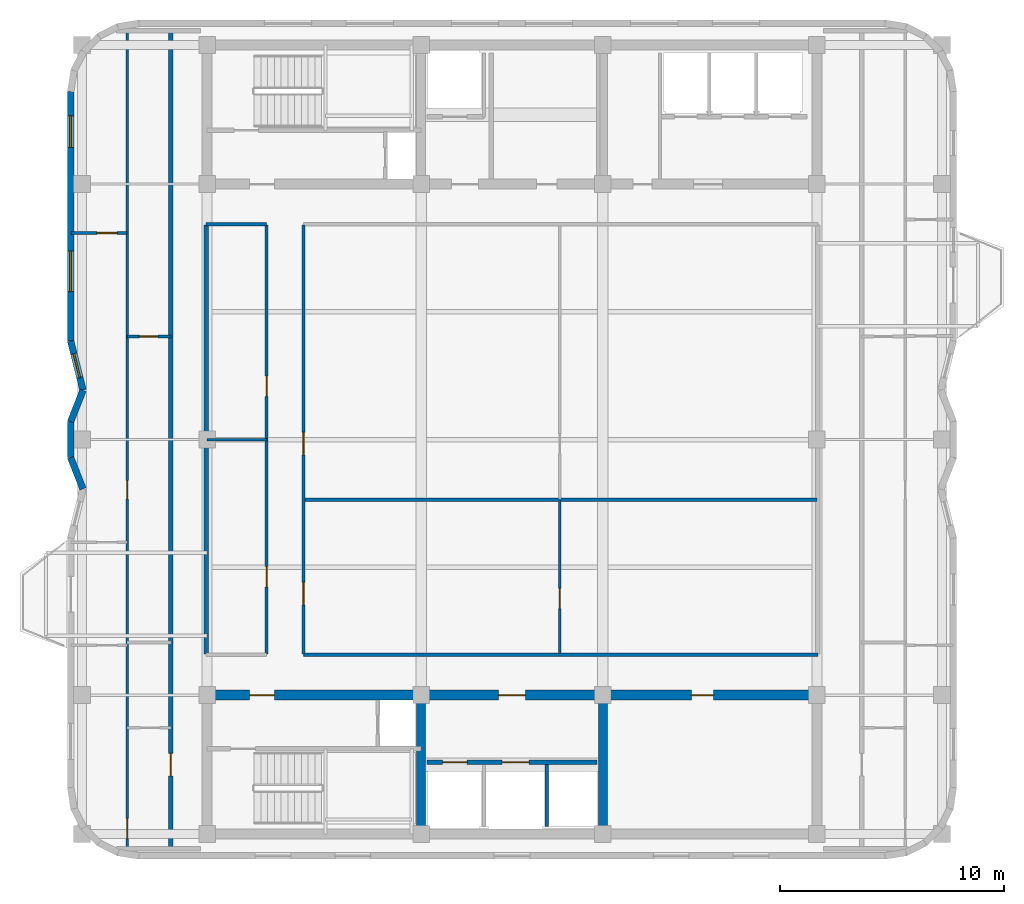
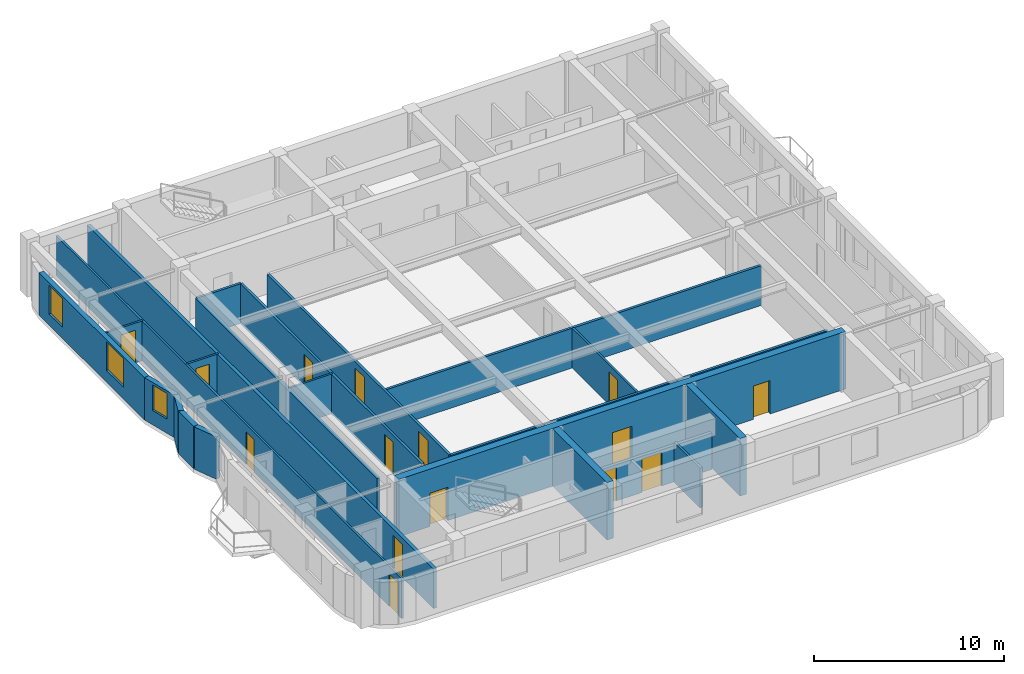
# One storey, part 3 of 8: 22 walls, 15 doors, 3 windows, 18 openings.
"""IFC4 building model written with IfcOpenShell, lengths in metres."""

from ifc_helpers import new_model, si_unit, direction, frame, frame_2d, origin, place, context, subcontext, project, spatial, rectangle, extrude, material, layer, layer_set, type_object, element, fill, save


model = new_model("IFC4")

# Units and contexts
model_context = context("Model", 3, precision=1e-05, world=origin(), true_north=direction((0.0, 1.0)))
body_context = subcontext(model_context, "Body", "Model", "MODEL_VIEW")
ifc_project = project(units=[si_unit("LENGTHUNIT", "METRE"), si_unit("AREAUNIT", "SQUARE_METRE"), si_unit("VOLUMEUNIT", "CUBIC_METRE"), si_unit("PLANEANGLEUNIT", "RADIAN"), si_unit("MASSUNIT", "GRAM", prefix="KILO")], contexts=[model_context])

# Site, building, storey
site_placement = place(None, origin())
site = spatial("IfcSite", under=ifc_project, at=site_placement, CompositionType="ELEMENT")
building_placement = place(site_placement, origin())
building = spatial("IfcBuilding", under=site, at=building_placement, Name="Svetorya Sky Lyceum", CompositionType="ELEMENT")
storey_placement = place(building_placement, frame((0.0, 0.0, 263.89990234375)))
storey = spatial("IfcBuildingStorey", under=building, at=storey_placement, Name="L66", CompositionType="ELEMENT", Elevation=263.89990234375)

# Walls
ifc_material_1 = material(Name="Concrete C40/50", Category="concrete")
ifc_layer_1 = layer(ifc_material_1, 0.39990234375)
ifc_layer_set_1 = layer_set([ifc_layer_1], Name="Concrete C40/50")
wall_type_1 = type_object("IfcWallType", Name="WL-CORE-400", PredefinedType="SHEAR", material=ifc_layer_set_1)
for number, where, z_axis, x_axis, name in (
    (1, (35.14990234375, 10.824951171875, 0.0), (0.0, 0.0, 1.0), (0.0, 1.0, 0.0), "L66 SC Internal Shear Web WEB1"),
    (2, (43.25, 10.824951171875, 0.0), (0.0, 0.0, 1.0), (0.0, 1.0, 0.0), "L66 SC Internal Shear Web WEB2"),
):
    element("IfcWall", number, at=place(storey_placement, frame(where, z_axis=z_axis, x_axis=x_axis)), inside=storey, type_object=wall_type_1, Name=name, PredefinedType="SHEAR", context=body_context, shape_type="SweptSolid", body=[
        extrude(rectangle(XDim=5.75, YDim=0.39990234375, at=frame_2d((2.875, 0.0))), origin(), (0.0, 0.0, 1.0), 3.7001953125),
    ])

# Wall, openings, doors
ifc_material_2 = material(Name="Concrete C50/60", Category="concrete")
ifc_layer_2 = layer(ifc_material_2, 0.449951171875)
ifc_layer_set_2 = layer_set([ifc_layer_2], Name="Concrete C50/60")
wall_type_2 = type_object("IfcWallType", Name="WL-CORE-450", PredefinedType="SHEAR", material=ifc_layer_set_2)
wall_1_placement = place(storey_placement, frame((25.60009765625, 16.800048828125, 0.0), z_axis=(0.0, 0.0, 1.0), x_axis=(1.0, 0.0, 0.0)))
wall_1 = element("IfcWall", 3, at=wall_1_placement, inside=storey, type_object=wall_type_2, Name="L66 SC Inner Core Shear Wall", PredefinedType="SHEAR", context=body_context, shape_type="SweptSolid", body=[
    extrude(rectangle(XDim=27.199951171875, YDim=0.449951171875, at=frame_2d((13.60009765625, 0.0))), origin(), (0.0, 0.0, 1.0), 3.7001953125),
])
opening_1_placement = place(wall_1_placement, frame((1.89990234375, 0.0, 0.0)))
opening_1 = element("IfcOpeningElement", 4, at=opening_1_placement, cuts=wall_1, Name="Opening D-ST1", PredefinedType="OPENING", context=body_context, shape_type="SweptSolid", body=[
    extrude(rectangle(XDim=1.10009765625, YDim=2.14990234375, at=frame_2d((0.550048828125, 1.074951171875))), frame((0.0, 0.23486328125, 0.0), z_axis=(0.0, -1.0, 0.0), x_axis=(1.0, 0.0, 0.0)), (0.0, 0.0, 1.0), 0.469970703125),
])
opening_2_placement = place(wall_1_placement, frame((13.0, 0.0, 0.0)))
opening_2 = element("IfcOpeningElement", 5, at=opening_2_placement, cuts=wall_1, Name="Opening D-FL1", PredefinedType="OPENING", context=body_context, shape_type="SweptSolid", body=[
    extrude(rectangle(XDim=1.199951171875, YDim=2.14990234375, at=frame_2d((0.60009765625, 1.074951171875))), frame((0.0, 0.23486328125, 0.0), z_axis=(0.0, -1.0, 0.0), x_axis=(1.0, 0.0, 0.0)), (0.0, 0.0, 1.0), 0.469970703125),
])
opening_3_placement = place(wall_1_placement, frame((21.60009765625, 0.0, 0.0)))
opening_3 = element("IfcOpeningElement", 6, at=opening_3_placement, cuts=wall_1, Name="Opening D-RM2", PredefinedType="OPENING", context=body_context, shape_type="SweptSolid", body=[
    extrude(rectangle(XDim=1.0, YDim=2.14990234375, at=frame_2d((0.5, 1.074951171875))), frame((0.0, 0.23486328125, 0.0), z_axis=(0.0, -1.0, 0.0), x_axis=(1.0, 0.0, 0.0)), (0.0, 0.0, 1.0), 0.469970703125),
])
ifc_material_3 = material(Name="Powder-coated insulated galvanized stair fire door")
door_type_1 = type_object("IfcDoorType", Name="DR-FIRE-1100", OperationType="SINGLE_SWING_LEFT", PredefinedType="DOOR", material=ifc_material_3)
door_1_placement = place(opening_1_placement, origin())
door_1 = element("IfcDoor", 7, at=door_1_placement, inside=storey, type_object=door_type_1, Name="L66 South Stair Airlock Door", OperationType="SINGLE_SWING_RIGHT", OverallHeight=2.14990234375, OverallWidth=1.10009765625, PredefinedType="DOOR", context=body_context, shape_type="SweptSolid", body=[
    extrude(rectangle(XDim=1.10009765625, YDim=2.14990234375, at=frame_2d((0.550048828125, 1.074951171875))), frame((0.0, 0.02490234375, 0.0), z_axis=(0.0, -1.0, 0.0), x_axis=(1.0, 0.0, 0.0)), (0.0, 0.0, 1.0), 0.050048828125),
])
fill(opening_1, door_1)
ifc_material_4 = material(Name="Powder-coated insulated galvanized fire door")
door_type_2 = type_object("IfcDoorType", Name="DR-FIRE-1200", OperationType="SINGLE_SWING_LEFT", PredefinedType="DOOR", material=ifc_material_4)
door_2_placement = place(opening_2_placement, origin())
door_2 = element("IfcDoor", 8, at=door_2_placement, inside=storey, type_object=door_type_2, Name="L66 South Firefighting Lift Lobby Door", OperationType="SINGLE_SWING_LEFT", OverallHeight=2.14990234375, OverallWidth=1.199951171875, PredefinedType="DOOR", context=body_context, shape_type="SweptSolid", body=[
    extrude(rectangle(XDim=1.199951171875, YDim=2.14990234375, at=frame_2d((0.60009765625, 1.074951171875))), frame((0.0, 0.02490234375, 0.0), z_axis=(0.0, -1.0, 0.0), x_axis=(1.0, 0.0, 0.0)), (0.0, 0.0, 1.0), 0.050048828125),
])
fill(opening_2, door_2)
ifc_material_5 = material(Name="Solid-core oak acoustic room door")
door_type_3 = type_object("IfcDoorType", Name="DR-INT-1000", OperationType="SINGLE_SWING_LEFT", PredefinedType="DOOR", material=ifc_material_5)
door_3_placement = place(opening_3_placement, origin())
door_3 = element("IfcDoor", 9, at=door_3_placement, inside=storey, type_object=door_type_3, Name="L66 Trunk Store Door", OperationType="SINGLE_SWING_LEFT", OverallHeight=2.14990234375, OverallWidth=1.0, PredefinedType="DOOR", context=body_context, shape_type="SweptSolid", body=[
    extrude(rectangle(XDim=1.0, YDim=2.14990234375, at=frame_2d((0.5, 1.074951171875))), frame((0.0, 0.02490234375, 0.0), z_axis=(0.0, -1.0, 0.0), x_axis=(1.0, 0.0, 0.0)), (0.0, 0.0, 1.0), 0.050048828125),
])
fill(opening_3, door_3)

# Wall, openings, windows
ifc_material_6 = material(Name="Putilovo limestone rainscreen on autoclaved cellular masonry", Category="masonry")
ifc_layer_3 = layer(ifc_material_6, 0.300048828125)
ifc_layer_set_3 = layer_set([ifc_layer_3], Name="Putilovo limestone rainscreen on autoclaved cellular masonry")
wall_type_3 = type_object("IfcWallType", Name="WL-EXT-300", PredefinedType="SOLIDWALL", material=ifc_layer_set_3)
wall_2_placement = place(storey_placement, frame((19.510009765625, 43.719970703125, 0.0), z_axis=(0.0, 0.0, 1.0), x_axis=(0.0, -1.0, 0.0)))
wall_2 = element("IfcWall", 10, at=wall_2_placement, inside=storey, type_object=wall_type_3, Name="L66 Limestone Exterior Wall 30M", PredefinedType="SOLIDWALL", context=body_context, shape_type="SweptSolid", body=[
    extrude(rectangle(XDim=11.119873046875, YDim=0.300048828125, at=frame_2d((5.56005859375, 0.0))), origin(), (0.0, 0.0, 1.0), 2.72998046875),
])
opening_4_placement = place(wall_2_placement, frame((1.080078125, 0.0, 0.719970703125)))
opening_4 = element("IfcOpeningElement", 11, at=opening_4_placement, cuts=wall_2, Name="Opening W-R2", PredefinedType="OPENING", context=body_context, shape_type="SweptSolid", body=[
    extrude(rectangle(XDim=1.39990234375, YDim=1.85009765625, at=frame_2d((0.699951171875, 0.925048828125))), frame((0.0, 0.159912109375, 0.0), z_axis=(0.0, -1.0, 0.0), x_axis=(1.0, 0.0, 0.0)), (0.0, 0.0, 1.0), 0.320068359375),
])
opening_5_placement = place(wall_2_placement, frame((7.114990234375, 0.0, 0.760009765625)))
opening_5 = element("IfcOpeningElement", 12, at=opening_5_placement, cuts=wall_2, Name="Opening W-R1", PredefinedType="OPENING", context=body_context, shape_type="SweptSolid", body=[
    extrude(rectangle(XDim=1.800048828125, YDim=1.85009765625, at=frame_2d((0.89990234375, 0.925048828125))), frame((0.0, 0.159912109375, 0.0), z_axis=(0.0, -1.0, 0.0), x_axis=(1.0, 0.0, 0.0)), (0.0, 0.0, 1.0), 0.320068359375),
])
ifc_material_7 = material(Name="Thermally broken aluminium frame with triple low-E glazing", Category="aluminium")
window_type_1 = type_object("IfcWindowType", Name="WN-RES-140", PartitioningType="SINGLE_PANEL", PredefinedType="WINDOW", material=ifc_material_7)
window_1_placement = place(opening_4_placement, origin())
window_1 = element("IfcWindow", 13, at=window_1_placement, inside=storey, type_object=window_type_1, Name="L66 Facade Window W-R2.30M.2", OverallHeight=1.85009765625, OverallWidth=1.39990234375, PartitioningType="SINGLE_PANEL", PredefinedType="WINDOW", context=body_context, shape_type="SweptSolid", body=[
    extrude(rectangle(XDim=1.39990234375, YDim=1.85009765625, at=frame_2d((0.699951171875, 0.925048828125))), frame((0.0, 0.030029296875, 0.0), z_axis=(0.0, -1.0, 0.0), x_axis=(1.0, 0.0, 0.0)), (0.0, 0.0, 1.0), 0.06005859375),
])
fill(opening_4, window_1)
window_type_2 = type_object("IfcWindowType", Name="WN-RES-180", PartitioningType="DOUBLE_PANEL_VERTICAL", PredefinedType="WINDOW", material=ifc_material_7)
window_2_placement = place(opening_5_placement, origin())
window_2 = element("IfcWindow", 14, at=window_2_placement, inside=storey, type_object=window_type_2, Name="L66 Facade Window W-R1.30M.1", OverallHeight=1.85009765625, OverallWidth=1.800048828125, PartitioningType="SINGLE_PANEL", PredefinedType="WINDOW", context=body_context, shape_type="SweptSolid", body=[
    extrude(rectangle(XDim=1.800048828125, YDim=1.85009765625, at=frame_2d((0.89990234375, 0.925048828125))), frame((0.0, 0.030029296875, 0.0), z_axis=(0.0, -1.0, 0.0), x_axis=(1.0, 0.0, 0.0)), (0.0, 0.0, 1.0), 0.06005859375),
])
fill(opening_5, window_2)

# Wall, opening, window
wall_3_placement = place(storey_placement, frame((19.510009765625, 32.60009765625, 0.0), z_axis=(0.0, 0.0, 1.0), x_axis=(0.242535625036, -0.970142500145, 0.0)))
wall_3 = element("IfcWall", 15, at=wall_3_placement, inside=storey, type_object=wall_type_3, Name="L66 Limestone Exterior Wall 31M", PredefinedType="SOLIDWALL", context=body_context, shape_type="SweptSolid", body=[
    extrude(rectangle(XDim=2.267822265625, YDim=0.300048828125, at=frame_2d((1.1337890625, 0.0))), origin(), (0.0, 0.0, 1.0), 2.72998046875),
])
opening_6_placement = place(wall_3_placement, frame((0.583984375, 0.0, 0.919921875)))
opening_6 = element("IfcOpeningElement", 16, at=opening_6_placement, cuts=wall_3, Name="Opening W-R3", PredefinedType="OPENING", context=body_context, shape_type="SweptSolid", body=[
    extrude(rectangle(XDim=1.10009765625, YDim=1.64990234375, at=frame_2d((0.550048828125, 0.824951171875))), frame((0.0, 0.159912109375, 0.0), z_axis=(0.0, -1.0, 0.0), x_axis=(1.0, 0.0, 0.0)), (0.0, 0.0, 1.0), 0.320068359375),
])
window_type_3 = type_object("IfcWindowType", Name="WN-RES-110", PartitioningType="SINGLE_PANEL", PredefinedType="WINDOW", material=ifc_material_7)
window_3_placement = place(opening_6_placement, origin())
window_3 = element("IfcWindow", 17, at=window_3_placement, inside=storey, type_object=window_type_3, Name="L66 Facade Window W-R3.31M.1", OverallHeight=1.64990234375, OverallWidth=1.10009765625, PartitioningType="SINGLE_PANEL", PredefinedType="WINDOW", context=body_context, shape_type="SweptSolid", body=[
    extrude(rectangle(XDim=1.10009765625, YDim=1.64990234375, at=frame_2d((0.550048828125, 0.824951171875))), frame((0.0, 0.030029296875, 0.0), z_axis=(0.0, -1.0, 0.0), x_axis=(1.0, 0.0, 0.0)), (0.0, 0.0, 1.0), 0.06005859375),
])
fill(opening_6, window_3)

# Walls
wall_4_placement = place(storey_placement, frame((20.06005859375, 30.39990234375, 0.0), z_axis=(0.0, 0.0, 1.0), x_axis=(-0.365702591843, -0.930731762818, 0.0)))
element("IfcWall", 18, at=wall_4_placement, inside=storey, type_object=wall_type_3, Name="L66 Limestone Exterior Wall 32M", PredefinedType="SOLIDWALL", context=body_context, shape_type="SweptSolid", body=[
    extrude(rectangle(XDim=1.504150390625, YDim=0.300048828125, at=frame_2d((0.751953125, 0.0))), origin(), (0.0, 0.0, 1.0), 2.72998046875),
])
wall_5_placement = place(storey_placement, frame((19.510009765625, 29.0, 0.0), z_axis=(0.0, 0.0, 1.0), x_axis=(0.0, -1.0, 0.0)))
element("IfcWall", 19, at=wall_5_placement, inside=storey, type_object=wall_type_3, Name="L66 Limestone Exterior Wall 33M", PredefinedType="SOLIDWALL", context=body_context, shape_type="SweptSolid", body=[
    extrude(rectangle(XDim=1.60009765625, YDim=0.300048828125, at=frame_2d((0.800048828125, 0.0))), origin(), (0.0, 0.0, 1.0), 2.72998046875),
])
wall_6_placement = place(storey_placement, frame((19.510009765625, 27.39990234375, 0.0), z_axis=(0.0, 0.0, 1.0), x_axis=(0.365702591843, -0.930731762818, 0.0)))
element("IfcWall", 20, at=wall_6_placement, inside=storey, type_object=wall_type_3, Name="L66 Limestone Exterior Wall 34M", PredefinedType="SOLIDWALL", context=body_context, shape_type="SweptSolid", body=[
    extrude(rectangle(XDim=1.504150390625, YDim=0.300048828125, at=frame_2d((0.751953125, 0.0))), origin(), (0.0, 0.0, 1.0), 2.72998046875),
])
ifc_material_8 = material(Name="Twin-stud galvanized framing with double fireboard", Category="gypsum")
ifc_layer_4 = layer(ifc_material_8, 0.1201171875)
ifc_layer_set_4 = layer_set([ifc_layer_4], Name="Twin-stud galvanized framing with double fireboard")
wall_type_4 = type_object("IfcWallType", Name="WL-PART-120", PredefinedType="PARTITIONING", material=ifc_layer_set_4)
wall_7_placement = place(storey_placement, frame((25.60009765625, 28.199951171875, 0.0), z_axis=(0.0, 0.0, 1.0), x_axis=(1.0, 0.0, 0.0)))
element("IfcWall", 21, at=wall_7_placement, inside=storey, type_object=wall_type_4, Name="L66 Interior Partition OFF-HW", PredefinedType="PARTITIONING", context=body_context, shape_type="SweptSolid", body=[
    extrude(rectangle(XDim=2.659912109375, YDim=0.1201171875, at=frame_2d((1.330078125, 0.0))), origin(), (0.0, 0.0, 1.0), 2.56005859375),
])

# Wall, opening, door
wall_8_placement = place(storey_placement, frame((41.3349609375, 18.659912109375, 0.0), z_axis=(0.0, 0.0, 1.0), x_axis=(0.0, 1.0, 0.0)))
wall_8 = element("IfcWall", 22, at=wall_8_placement, inside=storey, type_object=wall_type_4, Name="L66 Interior Partition OFF-VEM1", PredefinedType="PARTITIONING", context=body_context, shape_type="SweptSolid", body=[
    extrude(rectangle(XDim=6.820556640625, YDim=0.1201171875, at=frame_2d((3.41015625, 0.0))), origin(), (0.0, 0.0, 1.0), 2.56005859375),
])
opening_7_placement = place(wall_8_placement, frame((2.0, 0.0, 0.0)))
opening_7 = element("IfcOpeningElement", 23, at=opening_7_placement, cuts=wall_8, Name="Opening D-RM1", PredefinedType="OPENING", context=body_context, shape_type="SweptSolid", body=[
    extrude(rectangle(XDim=0.89990234375, YDim=2.10009765625, at=frame_2d((0.449951171875, 1.050048828125))), frame((0.0, 0.070068359375, 0.0), z_axis=(0.0, -1.0, 0.0), x_axis=(1.0, 0.0, 0.0)), (0.0, 0.0, 1.0), 0.14013671875),
])
ifc_material_9 = material(Name="Lacquered birch veneer internal door")
door_type_4 = type_object("IfcDoorType", Name="DR-INT-900", OperationType="SINGLE_SWING_LEFT", PredefinedType="DOOR", material=ifc_material_9)
door_4_placement = place(opening_7_placement, origin())
door_4 = element("IfcDoor", 24, at=door_4_placement, inside=storey, type_object=door_type_4, Name="L66 East Study Door", OperationType="SINGLE_SWING_LEFT", OverallHeight=2.10009765625, OverallWidth=0.89990234375, PredefinedType="DOOR", context=body_context, shape_type="SweptSolid", body=[
    extrude(rectangle(XDim=0.89990234375, YDim=2.10009765625, at=frame_2d((0.449951171875, 1.050048828125))), frame((0.0, 0.02490234375, 0.0), z_axis=(0.0, -1.0, 0.0), x_axis=(1.0, 0.0, 0.0)), (0.0, 0.0, 1.0), 0.050048828125),
])
fill(opening_7, door_4)

wall_9_placement = place(storey_placement, frame((22.030029296875, 32.800048828125, 0.0), z_axis=(0.0, 0.0, 1.0), x_axis=(1.0, 0.0, 0.0)))
wall_9 = element("IfcWall", 25, at=wall_9_placement, inside=storey, type_object=wall_type_4, Name="L66 Interior Partition W1-WH3", PredefinedType="PARTITIONING", context=body_context, shape_type="SweptSolid", body=[
    extrude(rectangle(XDim=1.949951171875, YDim=0.1201171875, at=frame_2d((0.97509765625, 0.0))), origin(), (0.0, 0.0, 1.0), 2.56005859375),
])
opening_8_placement = place(wall_9_placement, frame((0.550048828125, 0.0, 0.0)))
opening_8 = element("IfcOpeningElement", 26, at=opening_8_placement, cuts=wall_9, Name="Opening D-BT2", PredefinedType="OPENING", context=body_context, shape_type="SweptSolid", body=[
    extrude(rectangle(XDim=0.820068359375, YDim=2.080078125, at=frame_2d((0.41015625, 1.0400390625))), frame((0.0, 0.070068359375, 0.0), z_axis=(0.0, -1.0, 0.0), x_axis=(1.0, 0.0, 0.0)), (0.0, 0.0, 1.0), 0.14013671875),
])
ifc_material_10 = material(Name="Compact moisture-resistant laminate closet door")
door_type_5 = type_object("IfcDoorType", Name="DR-WET-820", OperationType="SINGLE_SWING_LEFT", PredefinedType="DOOR", material=ifc_material_10)
door_5_placement = place(opening_8_placement, origin())
door_5 = element("IfcDoor", 27, at=door_5_placement, inside=storey, type_object=door_type_5, Name="Apartment W1 Laundry Door", OperationType="SINGLE_SWING_RIGHT", OverallHeight=2.080078125, OverallWidth=0.820068359375, PredefinedType="DOOR", context=body_context, shape_type="SweptSolid", body=[
    extrude(rectangle(XDim=0.820068359375, YDim=2.080078125, at=frame_2d((0.41015625, 1.0400390625))), frame((0.0, 0.02490234375, 0.0), z_axis=(0.0, -1.0, 0.0), x_axis=(1.0, 0.0, 0.0)), (0.0, 0.0, 1.0), 0.050048828125),
])
fill(opening_8, door_5)

wall_10_placement = place(storey_placement, frame((19.530029296875, 37.419921875, 0.0), z_axis=(0.0, 0.0, 1.0), x_axis=(1.0, 0.0, 0.0)))
wall_10 = element("IfcWall", 28, at=wall_10_placement, inside=storey, type_object=wall_type_4, Name="L66 Interior Partition W1-WL3", PredefinedType="PARTITIONING", context=body_context, shape_type="SweptSolid", body=[
    extrude(rectangle(XDim=2.5, YDim=0.1201171875, at=frame_2d((1.25, 0.0))), origin(), (0.0, 0.0, 1.0), 2.56005859375),
])
opening_9_placement = place(wall_10_placement, frame((1.14990234375, 0.0, 0.0)))
opening_9 = element("IfcOpeningElement", 29, at=opening_9_placement, cuts=wall_10, Name="Opening D-RM1", PredefinedType="OPENING", context=body_context, shape_type="SweptSolid", body=[
    extrude(rectangle(XDim=0.89990234375, YDim=2.10009765625, at=frame_2d((0.449951171875, 1.050048828125))), frame((0.0, 0.070068359375, 0.0), z_axis=(0.0, -1.0, 0.0), x_axis=(1.0, 0.0, 0.0)), (0.0, 0.0, 1.0), 0.14013671875),
])
door_6_placement = place(opening_9_placement, origin())
door_6 = element("IfcDoor", 30, at=door_6_placement, inside=storey, type_object=door_type_4, Name="Apartment W1 Bedroom 3 Door", OperationType="SINGLE_SWING_LEFT", OverallHeight=2.10009765625, OverallWidth=0.89990234375, PredefinedType="DOOR", context=body_context, shape_type="SweptSolid", body=[
    extrude(rectangle(XDim=0.89990234375, YDim=2.10009765625, at=frame_2d((0.449951171875, 1.050048828125))), frame((0.0, 0.02490234375, 0.0), z_axis=(0.0, -1.0, 0.0), x_axis=(1.0, 0.0, 0.0)), (0.0, 0.0, 1.0), 0.050048828125),
])
fill(opening_9, door_6)

# Wall, openings, doors
wall_11_placement = place(storey_placement, frame((22.030029296875, 9.989990234375, 0.0), z_axis=(0.0, 0.0, 1.0), x_axis=(0.0, 1.0, 0.0)))
wall_11 = element("IfcWall", 31, at=wall_11_placement, inside=storey, type_object=wall_type_4, Name="L66 Interior Partition W1-WV", PredefinedType="PARTITIONING", context=body_context, shape_type="SweptSolid", body=[
    extrude(rectangle(XDim=36.419921875, YDim=0.1201171875, at=frame_2d((18.2099609375, 0.0))), origin(), (0.0, 0.0, 1.0), 2.56005859375),
])
opening_10_placement = place(wall_11_placement, frame((0.409912109375, 0.0, 0.0)))
opening_10 = element("IfcOpeningElement", 32, at=opening_10_placement, cuts=wall_11, Name="Opening D-RM1", PredefinedType="OPENING", context=body_context, shape_type="SweptSolid", body=[
    extrude(rectangle(XDim=0.89990234375, YDim=2.10009765625, at=frame_2d((0.449951171875, 1.050048828125))), frame((0.0, 0.070068359375, 0.0), z_axis=(0.0, -1.0, 0.0), x_axis=(1.0, 0.0, 0.0)), (0.0, 0.0, 1.0), 0.14013671875),
])
opening_11_placement = place(wall_11_placement, frame((15.56005859375, 0.0, 0.0)))
opening_11 = element("IfcOpeningElement", 33, at=opening_11_placement, cuts=wall_11, Name="Opening D-BT2", PredefinedType="OPENING", context=body_context, shape_type="SweptSolid", body=[
    extrude(rectangle(XDim=0.820068359375, YDim=2.080078125, at=frame_2d((0.41015625, 1.0400390625))), frame((0.0, 0.070068359375, 0.0), z_axis=(0.0, -1.0, 0.0), x_axis=(1.0, 0.0, 0.0)), (0.0, 0.0, 1.0), 0.14013671875),
])
door_7_placement = place(opening_10_placement, origin())
door_7 = element("IfcDoor", 34, at=door_7_placement, inside=storey, type_object=door_type_4, Name="Apartment W1 Living Door", OperationType="SINGLE_SWING_RIGHT", OverallHeight=2.10009765625, OverallWidth=0.89990234375, PredefinedType="DOOR", context=body_context, shape_type="SweptSolid", body=[
    extrude(rectangle(XDim=0.89990234375, YDim=2.10009765625, at=frame_2d((0.449951171875, 1.050048828125))), frame((0.0, 0.02490234375, 0.0), z_axis=(0.0, -1.0, 0.0), x_axis=(1.0, 0.0, 0.0)), (0.0, 0.0, 1.0), 0.050048828125),
])
fill(opening_10, door_7)
door_8_placement = place(opening_11_placement, origin())
door_8 = element("IfcDoor", 35, at=door_8_placement, inside=storey, type_object=door_type_5, Name="Apartment W1 Study Door", OperationType="SINGLE_SWING_LEFT", OverallHeight=2.080078125, OverallWidth=0.820068359375, PredefinedType="DOOR", context=body_context, shape_type="SweptSolid", body=[
    extrude(rectangle(XDim=0.820068359375, YDim=2.080078125, at=frame_2d((0.41015625, 1.0400390625))), frame((0.0, 0.02490234375, 0.0), z_axis=(0.0, -1.0, 0.0), x_axis=(1.0, 0.0, 0.0)), (0.0, 0.0, 1.0), 0.050048828125),
])
fill(opening_11, door_8)

# Walls
ifc_material_11 = material(Name="Autoclaved cellular masonry blockwork with acoustic render", Category="masonry")
ifc_layer_5 = layer(ifc_material_11, 0.14990234375)
ifc_layer_set_5 = layer_set([ifc_layer_5], Name="Autoclaved cellular masonry blockwork with acoustic render")
wall_type_5 = type_object("IfcWallType", Name="WL-PART-150", PredefinedType="PARTITIONING", material=ifc_layer_set_5)
wall_12_placement = place(storey_placement, frame((40.75, 10.949951171875, 0.0), z_axis=(0.0, 0.0, 1.0), x_axis=(0.0, 1.0, 0.0)))
element("IfcWall", 36, at=wall_12_placement, inside=storey, type_object=wall_type_5, Name="L66 Interior Partition SC-SHD2", PredefinedType="PARTITIONING", context=body_context, shape_type="SweptSolid", body=[
    extrude(rectangle(XDim=2.75, YDim=0.14990234375, at=frame_2d((1.375, 0.0))), origin(), (0.0, 0.0, 1.0), 2.56005859375),
])
wall_13_placement = place(storey_placement, frame((29.89990234375, 18.60009765625, 0.0), z_axis=(0.0, 0.0, 1.0), x_axis=(1.0, 0.0, 0.0)))
element("IfcWall", 37, at=wall_13_placement, inside=storey, type_object=wall_type_5, Name="L66 Interior Partition OFF-CS-E", PredefinedType="PARTITIONING", context=body_context, shape_type="SweptSolid", body=[
    extrude(rectangle(XDim=22.9501953125, YDim=0.14990234375, at=frame_2d((11.47509765625, 0.0))), origin(), (0.0, 0.0, 1.0), 2.56005859375),
])
wall_14_placement = place(storey_placement, frame((25.550048828125, 37.800048828125, 0.0), z_axis=(0.0, 0.0, 1.0), x_axis=(1.0, 0.0, 0.0)))
element("IfcWall", 38, at=wall_14_placement, inside=storey, type_object=wall_type_5, Name="L66 Interior Partition OFF-CN-W", PredefinedType="PARTITIONING", context=body_context, shape_type="SweptSolid", body=[
    extrude(rectangle(XDim=2.699951171875, YDim=0.14990234375, at=frame_2d((1.35009765625, 0.0))), origin(), (0.0, 0.0, 1.0), 2.56005859375),
])
wall_15_placement = place(storey_placement, frame((29.929931640625, 25.5205078125, 0.0), z_axis=(0.0, 0.0, 1.0), x_axis=(1.0, 0.0, 0.0)))
element("IfcWall", 39, at=wall_15_placement, inside=storey, type_object=wall_type_5, Name="L66 Interior Partition OFF-HE", PredefinedType="PARTITIONING", context=body_context, shape_type="SweptSolid", body=[
    extrude(rectangle(XDim=22.8701171875, YDim=0.14990234375, at=frame_2d((11.43505859375, 0.0))), origin(), (0.0, 0.0, 1.0), 2.56005859375),
])

# Wall, openings, doors
wall_16_placement = place(storey_placement, frame((28.25, 18.6298828125, 0.0), z_axis=(0.0, 0.0, 1.0), x_axis=(0.0, 1.0, 0.0)))
wall_16 = element("IfcWall", 40, at=wall_16_placement, inside=storey, type_object=wall_type_5, Name="L66 Interior Partition OFF-VW", PredefinedType="PARTITIONING", context=body_context, shape_type="SweptSolid", body=[
    extrude(rectangle(XDim=19.14013671875, YDim=0.14990234375, at=frame_2d((9.570068359375, 0.0))), origin(), (0.0, 0.0, 1.0), 2.56005859375),
])
opening_12_placement = place(wall_16_placement, frame((3.0, 0.0, 0.0)))
opening_12 = element("IfcOpeningElement", 41, at=opening_12_placement, cuts=wall_16, Name="Opening D-RM1", PredefinedType="OPENING", context=body_context, shape_type="SweptSolid", body=[
    extrude(rectangle(XDim=0.89990234375, YDim=2.10009765625, at=frame_2d((0.449951171875, 1.050048828125))), frame((0.0, 0.0849609375, 0.0), z_axis=(0.0, -1.0, 0.0), x_axis=(1.0, 0.0, 0.0)), (0.0, 0.0, 1.0), 0.169921875),
])
opening_13_placement = place(wall_16_placement, frame((11.5, 0.0, 0.0)))
opening_13 = element("IfcOpeningElement", 42, at=opening_13_placement, cuts=wall_16, Name="Opening D-RM1", PredefinedType="OPENING", context=body_context, shape_type="SweptSolid", body=[
    extrude(rectangle(XDim=0.89990234375, YDim=2.10009765625, at=frame_2d((0.449951171875, 1.050048828125))), frame((0.0, 0.0849609375, 0.0), z_axis=(0.0, -1.0, 0.0), x_axis=(1.0, 0.0, 0.0)), (0.0, 0.0, 1.0), 0.169921875),
])
door_9_placement = place(opening_12_placement, origin())
door_9 = element("IfcDoor", 43, at=door_9_placement, inside=storey, type_object=door_type_4, Name="L66 Study Door", OperationType="SINGLE_SWING_LEFT", OverallHeight=2.10009765625, OverallWidth=0.89990234375, PredefinedType="DOOR", context=body_context, shape_type="SweptSolid", body=[
    extrude(rectangle(XDim=0.89990234375, YDim=2.10009765625, at=frame_2d((0.449951171875, 1.050048828125))), frame((0.0, 0.02490234375, 0.0), z_axis=(0.0, -1.0, 0.0), x_axis=(1.0, 0.0, 0.0)), (0.0, 0.0, 1.0), 0.050048828125),
])
fill(opening_12, door_9)
door_10_placement = place(opening_13_placement, origin())
door_10 = element("IfcDoor", 44, at=door_10_placement, inside=storey, type_object=door_type_4, Name="L66 Focus Door", OperationType="SINGLE_SWING_RIGHT", OverallHeight=2.10009765625, OverallWidth=0.89990234375, PredefinedType="DOOR", context=body_context, shape_type="SweptSolid", body=[
    extrude(rectangle(XDim=0.89990234375, YDim=2.10009765625, at=frame_2d((0.449951171875, 1.050048828125))), frame((0.0, 0.02490234375, 0.0), z_axis=(0.0, -1.0, 0.0), x_axis=(1.0, 0.0, 0.0)), (0.0, 0.0, 1.0), 0.050048828125),
])
fill(opening_13, door_10)

wall_17_placement = place(storey_placement, frame((29.89990234375, 18.6298828125, 0.0), z_axis=(0.0, 0.0, 1.0), x_axis=(0.0, 1.0, 0.0)))
wall_17 = element("IfcWall", 45, at=wall_17_placement, inside=storey, type_object=wall_type_5, Name="L66 Interior Partition OFF-VE", PredefinedType="PARTITIONING", context=body_context, shape_type="SweptSolid", body=[
    extrude(rectangle(XDim=19.14013671875, YDim=0.14990234375, at=frame_2d((9.570068359375, 0.0))), origin(), (0.0, 0.0, 1.0), 2.56005859375),
])
opening_14_placement = place(wall_17_placement, frame((2.199951171875, 0.0, 0.0)))
opening_14 = element("IfcOpeningElement", 46, at=opening_14_placement, cuts=wall_17, Name="Opening D-RM2", PredefinedType="OPENING", context=body_context, shape_type="SweptSolid", body=[
    extrude(rectangle(XDim=1.0, YDim=2.14990234375, at=frame_2d((0.5, 1.074951171875))), frame((0.0, 0.0849609375, 0.0), z_axis=(0.0, -1.0, 0.0), x_axis=(1.0, 0.0, 0.0)), (0.0, 0.0, 1.0), 0.169921875),
])
opening_15_placement = place(wall_17_placement, frame((8.890380859375, 0.0, 0.0)))
opening_15 = element("IfcOpeningElement", 47, at=opening_15_placement, cuts=wall_17, Name="Opening D-RM2", PredefinedType="OPENING", context=body_context, shape_type="SweptSolid", body=[
    extrude(rectangle(XDim=1.0, YDim=2.14990234375, at=frame_2d((0.5, 1.074951171875))), frame((0.0, 0.0849609375, 0.0), z_axis=(0.0, -1.0, 0.0), x_axis=(1.0, 0.0, 0.0)), (0.0, 0.0, 1.0), 0.169921875),
])
door_11_placement = place(opening_14_placement, origin())
door_11 = element("IfcDoor", 48, at=door_11_placement, inside=storey, type_object=door_type_3, Name="L66 Meeting Door", OperationType="SINGLE_SWING_RIGHT", OverallHeight=2.14990234375, OverallWidth=1.0, PredefinedType="DOOR", context=body_context, shape_type="SweptSolid", body=[
    extrude(rectangle(XDim=1.0, YDim=2.14990234375, at=frame_2d((0.5, 1.074951171875))), frame((0.0, 0.02490234375, 0.0), z_axis=(0.0, -1.0, 0.0), x_axis=(1.0, 0.0, 0.0)), (0.0, 0.0, 1.0), 0.050048828125),
])
fill(opening_14, door_11)
door_12_placement = place(opening_15_placement, origin())
door_12 = element("IfcDoor", 49, at=door_12_placement, inside=storey, type_object=door_type_3, Name="L66 North Room Door", OperationType="SINGLE_SWING_LEFT", OverallHeight=2.14990234375, OverallWidth=1.0, PredefinedType="DOOR", context=body_context, shape_type="SweptSolid", body=[
    extrude(rectangle(XDim=1.0, YDim=2.14990234375, at=frame_2d((0.5, 1.074951171875))), frame((0.0, 0.02490234375, 0.0), z_axis=(0.0, -1.0, 0.0), x_axis=(1.0, 0.0, 0.0)), (0.0, 0.0, 1.0), 0.050048828125),
])
fill(opening_15, door_12)

ifc_material_12 = material(Name="Autoclaved cellular masonry blockwork with gypsum plaster", Category="masonry")
ifc_layer_6 = layer(ifc_material_12, 0.199951171875)
ifc_layer_set_6 = layer_set([ifc_layer_6], Name="Autoclaved cellular masonry blockwork with gypsum plaster")
wall_type_6 = type_object("IfcWallType", Name="WL-PART-200", PredefinedType="PARTITIONING", material=ifc_layer_set_6)
wall_18_placement = place(storey_placement, frame((35.39990234375, 13.800048828125, 0.0), z_axis=(0.0, 0.0, 1.0), x_axis=(1.0, 0.0, 0.0)))
wall_18 = element("IfcWall", 50, at=wall_18_placement, inside=storey, type_object=wall_type_6, Name="L66 Interior Partition SC-FLW", PredefinedType="PARTITIONING", context=body_context, shape_type="SweptSolid", body=[
    extrude(rectangle(XDim=7.60009765625, YDim=0.199951171875, at=frame_2d((3.800048828125, 0.0))), origin(), (0.0, 0.0, 1.0), 2.330078125),
])
opening_16_placement = place(wall_18_placement, frame((0.699951171875, 0.0, 0.0)))
opening_16 = element("IfcOpeningElement", 51, at=opening_16_placement, cuts=wall_18, Name="Opening LD-FL", PredefinedType="OPENING", context=body_context, shape_type="SweptSolid", body=[
    extrude(rectangle(XDim=1.10009765625, YDim=2.14990234375, at=frame_2d((0.550048828125, 1.074951171875))), frame((0.0, 0.10986328125, 0.0), z_axis=(0.0, -1.0, 0.0), x_axis=(1.0, 0.0, 0.0)), (0.0, 0.0, 1.0), 0.219970703125),
])
opening_17_placement = place(wall_18_placement, frame((3.35009765625, 0.0, 0.0)))
opening_17 = element("IfcOpeningElement", 52, at=opening_17_placement, cuts=wall_18, Name="Opening LD-SV", PredefinedType="OPENING", context=body_context, shape_type="SweptSolid", body=[
    extrude(rectangle(XDim=1.199951171875, YDim=2.14990234375, at=frame_2d((0.60009765625, 1.074951171875))), frame((0.0, 0.10986328125, 0.0), z_axis=(0.0, -1.0, 0.0), x_axis=(1.0, 0.0, 0.0)), (0.0, 0.0, 1.0), 0.219970703125),
])
ifc_material_13 = material(Name="Fire-rated stainless AISI 304 firefighting lift landing door")
door_type_6 = type_object("IfcDoorType", Name="DR-LIFT-1100", OperationType="SLIDING_TO_LEFT", PredefinedType="DOOR", material=ifc_material_13)
door_13_placement = place(opening_16_placement, origin())
door_13 = element("IfcDoor", 53, at=door_13_placement, inside=storey, type_object=door_type_6, Name="L66 Firefighting Lift FL2 Landing Door", OperationType="SLIDING_TO_LEFT", OverallHeight=2.14990234375, OverallWidth=1.10009765625, PredefinedType="DOOR", context=body_context, shape_type="SweptSolid", body=[
    extrude(rectangle(XDim=1.10009765625, YDim=2.14990234375, at=frame_2d((0.550048828125, 1.074951171875))), frame((0.0, 0.02490234375, 0.0), z_axis=(0.0, -1.0, 0.0), x_axis=(1.0, 0.0, 0.0)), (0.0, 0.0, 1.0), 0.050048828125),
])
fill(opening_16, door_13)
ifc_material_14 = material(Name="Brushed stainless AISI 304 telescopic lift landing door")
door_type_7 = type_object("IfcDoorType", Name="DR-LIFT-1200", OperationType="SLIDING_TO_LEFT", PredefinedType="DOOR", material=ifc_material_14)
door_14_placement = place(opening_17_placement, origin())
door_14 = element("IfcDoor", 54, at=door_14_placement, inside=storey, type_object=door_type_7, Name="L66 Service Lift SVL1 Landing Door", OperationType="SLIDING_TO_LEFT", OverallHeight=2.14990234375, OverallWidth=1.199951171875, PredefinedType="DOOR", context=body_context, shape_type="SweptSolid", body=[
    extrude(rectangle(XDim=1.199951171875, YDim=2.14990234375, at=frame_2d((0.60009765625, 1.074951171875))), frame((0.0, 0.02490234375, 0.0), z_axis=(0.0, -1.0, 0.0), x_axis=(1.0, 0.0, 0.0)), (0.0, 0.0, 1.0), 0.050048828125),
])
fill(opening_17, door_14)

# Wall
wall_19_placement = place(storey_placement, frame((25.550048828125, 18.6298828125, 0.0), z_axis=(0.0, 0.0, 1.0), x_axis=(0.0, 1.0, 0.0)))
element("IfcWall", 55, at=wall_19_placement, inside=storey, type_object=wall_type_6, Name="L66 Interior Partition W-CEN-SEP", PredefinedType="PARTITIONING", context=body_context, shape_type="SweptSolid", body=[
    extrude(rectangle(XDim=19.14013671875, YDim=0.199951171875, at=frame_2d((9.570068359375, 0.0))), origin(), (0.0, 0.0, 1.0), 2.56005859375),
])

# Wall, opening, door
wall_20_placement = place(storey_placement, frame((23.97998046875, 9.949951171875, 0.0), z_axis=(0.0, 0.0, 1.0), x_axis=(0.0, 1.0, 0.0)))
wall_20 = element("IfcWall", 56, at=wall_20_placement, inside=storey, type_object=wall_type_6, Name="L66 Interior Partition W-CORRW", PredefinedType="PARTITIONING", context=body_context, shape_type="SweptSolid", body=[
    extrude(rectangle(XDim=36.5, YDim=0.199951171875, at=frame_2d((18.25, 0.0))), origin(), (0.0, 0.0, 1.0), 2.56005859375),
])
opening_18_placement = place(wall_20_placement, frame((3.25, 0.0, 0.0)))
opening_18 = element("IfcOpeningElement", 57, at=opening_18_placement, cuts=wall_20, Name="Opening D-APT1", PredefinedType="OPENING", context=body_context, shape_type="SweptSolid", body=[
    extrude(rectangle(XDim=1.0, YDim=2.14990234375, at=frame_2d((0.5, 1.074951171875))), frame((0.0, 0.10986328125, 0.0), z_axis=(0.0, -1.0, 0.0), x_axis=(1.0, 0.0, 0.0)), (0.0, 0.0, 1.0), 0.219970703125),
])
ifc_material_15 = material(Name="Insulated oak-veneered apartment entrance door")
door_type_8 = type_object("IfcDoorType", Name="DR-APT-1000", OperationType="SINGLE_SWING_LEFT", PredefinedType="DOOR", material=ifc_material_15)
door_15_placement = place(opening_18_placement, origin())
door_15 = element("IfcDoor", 58, at=door_15_placement, inside=storey, type_object=door_type_8, Name="L66 Apartment W1 Entrance Door", OperationType="SINGLE_SWING_LEFT", OverallHeight=2.14990234375, OverallWidth=1.0, PredefinedType="DOOR", context=body_context, shape_type="SweptSolid", body=[
    extrude(rectangle(XDim=1.0, YDim=2.14990234375, at=frame_2d((0.5, 1.074951171875))), frame((0.0, 0.02490234375, 0.0), z_axis=(0.0, -1.0, 0.0), x_axis=(1.0, 0.0, 0.0)), (0.0, 0.0, 1.0), 0.050048828125),
])
fill(opening_18, door_15)

save(model, "model.ifc")
